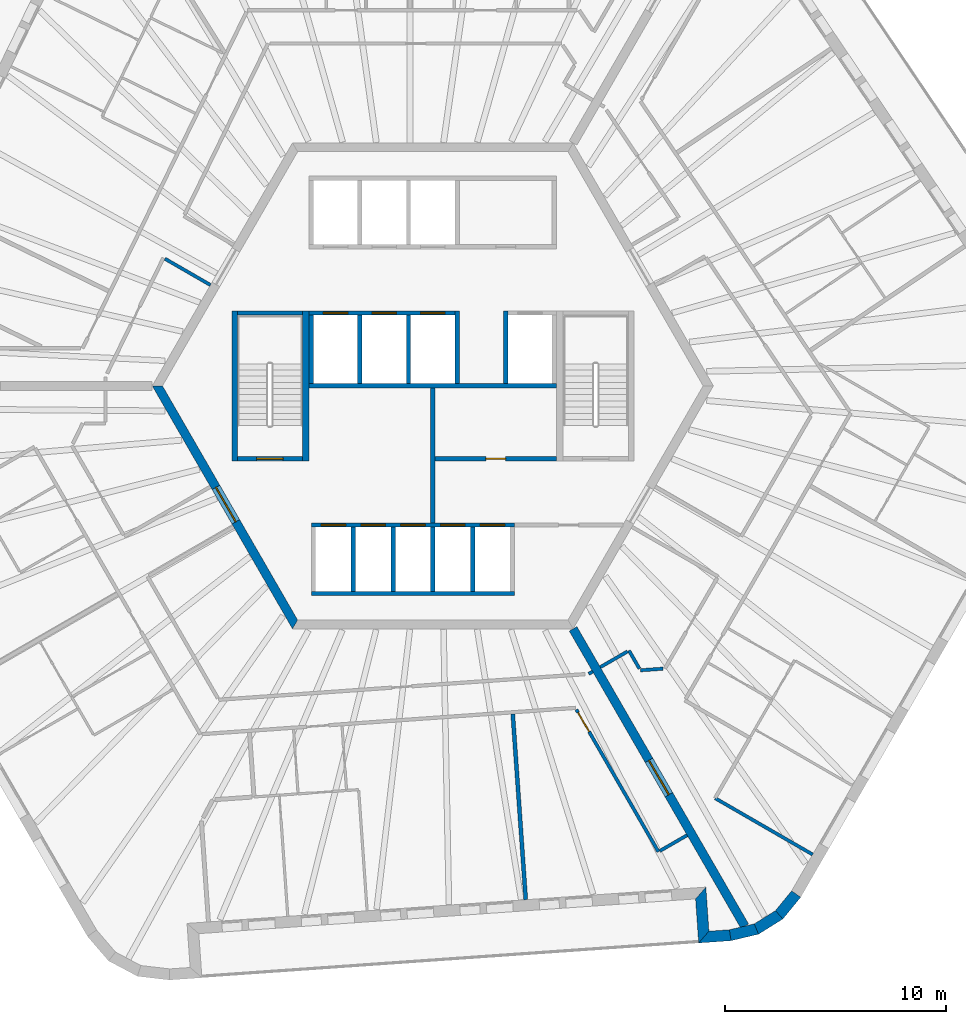
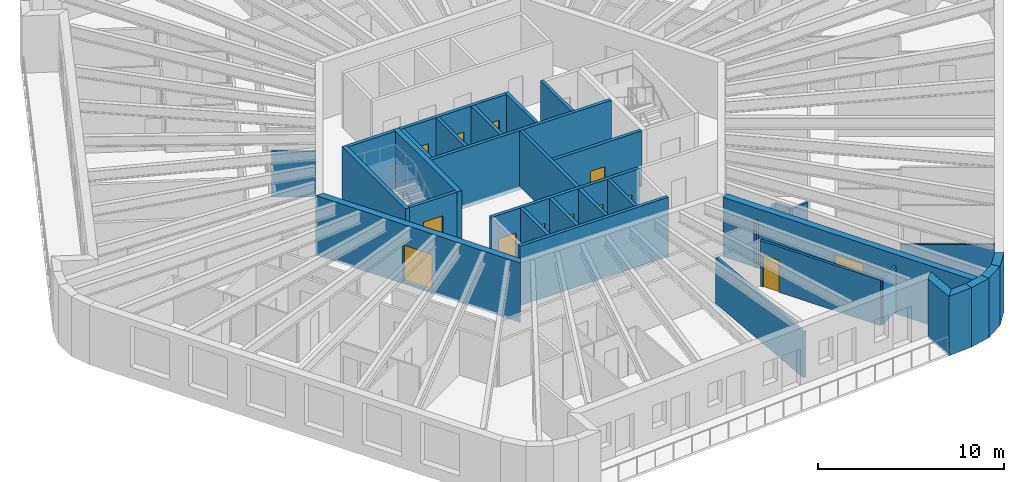
# One storey, part 5 of 12: 35 walls, 13 doors, 13 openings.
"""IFC4 building model written with IfcOpenShell, lengths in metres."""

from ifc_helpers import new_model, si_unit, direction, frame, frame_2d, origin, place, context, subcontext, project, spatial, polyline, rectangle, outline, extrude, material, layer, layer_set, type_object, element, fill, save


model = new_model("IFC4")

# Units and contexts
model_context = context("Model", 3, precision=1e-05, world=origin(), true_north=direction((0.0, 1.0)))
body_context = subcontext(model_context, "Body", "Model", "MODEL_VIEW")
ifc_project = project(units=[si_unit("LENGTHUNIT", "METRE"), si_unit("AREAUNIT", "SQUARE_METRE"), si_unit("VOLUMEUNIT", "CUBIC_METRE"), si_unit("PLANEANGLEUNIT", "RADIAN"), si_unit("MASSUNIT", "GRAM", prefix="KILO")], contexts=[model_context])

# Site, building, storey
site_placement = place(None, origin())
site = spatial("IfcSite", under=ifc_project, at=site_placement, CompositionType="ELEMENT")
building_placement = place(site_placement, origin())
building = spatial("IfcBuilding", under=site, at=building_placement, Name="Tarnside Tower", CompositionType="ELEMENT")
storey_placement = place(building_placement, frame((0.0, 0.0, 295.199951171875)))
storey = spatial("IfcBuildingStorey", under=building, at=storey_placement, Name="L71", CompositionType="ELEMENT", Elevation=295.199951171875)

# Wall, opening, door
ifc_material_1 = material(Name="Concrete C40/50", Category="concrete")
ifc_layer_1 = layer(ifc_material_1, 0.199951171875)
ifc_layer_set_1 = layer_set([ifc_layer_1], Name="Core room partition 200 C40/50")
wall_type_1 = type_object("IfcWallType", Name="Core room partition 200 C40/50", PredefinedType="PARTITIONING", material=ifc_layer_set_1)
wall_1_placement = place(storey_placement, frame((0.10009765625, -3.300048828125, 0.0), z_axis=(0.0, 0.0, 1.0), x_axis=(1.0, 0.0, 0.0)))
wall_1 = element("IfcWall", 1, at=wall_1_placement, inside=storey, type_object=wall_type_1, Name="L71 core partition R3S1", PredefinedType="PARTITIONING", context=body_context, shape_type="SweptSolid", body=[
    extrude(rectangle(XDim=5.5, YDim=0.199951171875, at=frame_2d((2.75, 0.0))), origin(), (0.0, 0.0, 1.0), 3.650146484375),
])
opening_1_placement = place(wall_1_placement, frame((2.300048828125, 0.0, 0.0)))
opening_1 = element("IfcOpeningElement", 2, at=opening_1_placement, cuts=wall_1, Name="Opening CD-room", PredefinedType="OPENING", context=body_context, shape_type="SweptSolid", body=[
    extrude(rectangle(XDim=0.89990234375, YDim=2.10009765625, at=frame_2d((0.449951171875, 1.050048828125))), frame((0.0, 0.10986328125, 0.0), z_axis=(0.0, -1.0, 0.0), x_axis=(1.0, 0.0, 0.0)), (0.0, 0.0, 1.0), 0.219970703125),
])
ifc_material_2 = material(Name="Steel fire door", Category="steel")
door_type_1 = type_object("IfcDoorType", Name="Room door FD60 900x2100", OperationType="NOTDEFINED", PredefinedType="DOOR", material=ifc_material_2)
door_1_placement = place(opening_1_placement, origin())
door_1 = element("IfcDoor", 3, at=door_1_placement, inside=storey, type_object=door_type_1, Name="L71 core room door SR1", OperationType="SINGLE_SWING_LEFT", OverallHeight=2.10009765625, OverallWidth=0.89990234375, PredefinedType="DOOR", context=body_context, shape_type="SweptSolid", body=[
    extrude(rectangle(XDim=0.89990234375, YDim=2.10009765625, at=frame_2d((0.449951171875, 1.050048828125))), frame((0.0, 0.02490234375, 0.0), z_axis=(0.0, -1.0, 0.0), x_axis=(1.0, 0.0, 0.0)), (0.0, 0.0, 1.0), 0.050048828125),
])
fill(opening_1, door_1)

# Wall
wall_2_placement = place(storey_placement, frame((0.0, -6.199951171875, 0.0), z_axis=(0.0, 0.0, 1.0), x_axis=(0.0, 1.0, 0.0)))
element("IfcWall", 4, at=wall_2_placement, inside=storey, type_object=wall_type_1, Name="L71 core partition X0", PredefinedType="PARTITIONING", context=body_context, shape_type="SweptSolid", body=[
    extrude(rectangle(XDim=6.099853515625, YDim=0.199951171875, at=frame_2d((3.0498046875, 0.0))), origin(), (0.0, 0.0, 1.0), 3.650146484375),
])

# Wall, opening, door
ifc_material_3 = material(Name="Concrete C60/75", Category="concrete")
ifc_layer_2 = layer(ifc_material_3, 0.39990234375)
ifc_layer_set_2 = layer_set([ifc_layer_2], Name="Core wall Z3 400 C60/75")
wall_type_2 = type_object("IfcWallType", Name="Core wall Z3 400 C60/75", PredefinedType="SHEAR", material=ifc_layer_set_2)
wall_3_placement = place(storey_placement, frame((-12.470703125, 0.0, -0.14990234375), z_axis=(0.0, 0.0, 1.0), x_axis=(0.499996419489, -0.866027470984, 0.0)))
wall_3 = element("IfcWall", 5, at=wall_3_placement, inside=storey, type_object=wall_type_2, Name="L71 core wall face 3", PredefinedType="SHEAR", context=body_context, shape_type="SweptSolid", body=[
    extrude(outline(polyline([(-0.115478515625, -0.199951171875), (12.586181640625, -0.199951171875), (12.355224609375, 0.199951171875), (0.115478515625, 0.199951171875), (-0.115478515625, -0.199951171875)])), origin(), (0.0, 0.0, 1.0), 3.89990234375),
])
opening_2_placement = place(wall_3_placement, frame((5.306396484375, 0.0, 0.14990234375)))
opening_2 = element("IfcOpeningElement", 6, at=opening_2_placement, cuts=wall_3, Name="Opening CD-FFL", PredefinedType="OPENING", context=body_context, shape_type="SweptSolid", body=[
    extrude(rectangle(XDim=1.800048828125, YDim=2.39990234375, at=frame_2d((0.89990234375, 1.199951171875))), frame((0.0, 0.2099609375, 0.0), z_axis=(0.0, -1.0, 0.0), x_axis=(1.0, 0.0, 0.0)), (0.0, 0.0, 1.0), 0.419921875),
])
door_type_2 = type_object("IfcDoorType", Name="Firefighting lobby double door FD60S 1800x2400", OperationType="NOTDEFINED", PredefinedType="DOOR", material=ifc_material_2)
door_2_placement = place(opening_2_placement, origin())
door_2 = element("IfcDoor", 7, at=door_2_placement, inside=storey, type_object=door_type_2, Name="L71 core door P3", OperationType="DOUBLE_DOOR_SINGLE_SWING", OverallHeight=2.39990234375, OverallWidth=1.800048828125, PredefinedType="DOOR", context=body_context, shape_type="SweptSolid", body=[
    extrude(rectangle(XDim=1.800048828125, YDim=2.39990234375, at=frame_2d((0.89990234375, 1.199951171875))), frame((0.0, 0.02490234375, 0.0), z_axis=(0.0, -1.0, 0.0), x_axis=(1.0, 0.0, 0.0)), (0.0, 0.0, 1.0), 0.050048828125),
])
fill(opening_2, door_2)

wall_4_placement = place(storey_placement, frame((6.350830078125, -11.0, -0.14990234375), z_axis=(0.0, 0.0, 1.0), x_axis=(0.499998894578, -0.866026041999, 0.0)))
wall_4 = element("IfcWall", 8, at=wall_4_placement, inside=storey, type_object=wall_type_2, Name="L71 spine wall 3", PredefinedType="SHEAR", context=body_context, shape_type="SweptSolid", body=[
    extrude(rectangle(XDim=15.54443359375, YDim=0.39990234375, at=frame_2d((7.772216796875, 0.0))), origin(), (0.0, 0.0, 1.0), 3.89990234375),
])
opening_3_placement = place(wall_4_placement, frame((6.872314453125, 0.0, 0.14990234375)))
opening_3 = element("IfcOpeningElement", 9, at=opening_3_placement, cuts=wall_4, Name="Opening CD-SPN", PredefinedType="OPENING", context=body_context, shape_type="SweptSolid", body=[
    extrude(rectangle(XDim=1.800048828125, YDim=2.39990234375, at=frame_2d((0.89990234375, 1.199951171875))), frame((0.0, 0.2099609375, 0.0), z_axis=(0.0, -1.0, 0.0), x_axis=(1.0, 0.0, 0.0)), (0.0, 0.0, 1.0), 0.419921875),
])
door_type_3 = type_object("IfcDoorType", Name="Spine passage double door FD60 1800x2400", OperationType="NOTDEFINED", PredefinedType="DOOR", material=ifc_material_2)
door_3_placement = place(opening_3_placement, origin())
door_3 = element("IfcDoor", 10, at=door_3_placement, inside=storey, type_object=door_type_3, Name="L71 spine passage door 3", OperationType="DOUBLE_DOOR_SINGLE_SWING", OverallHeight=2.39990234375, OverallWidth=1.800048828125, PredefinedType="DOOR", context=body_context, shape_type="SweptSolid", body=[
    extrude(rectangle(XDim=1.800048828125, YDim=2.39990234375, at=frame_2d((0.89990234375, 1.199951171875))), frame((0.0, 0.02490234375, 0.0), z_axis=(0.0, -1.0, 0.0), x_axis=(1.0, 0.0, 0.0)), (0.0, 0.0, 1.0), 0.050048828125),
])
fill(opening_3, door_3)

# Wall
ifc_material_4 = material(Name="Gypsum board partition on steel studs", Category="steel")
ifc_layer_3 = layer(ifc_material_4, 0.14990234375)
ifc_layer_set_3 = layer_set([ifc_layer_3], Name="Corridor wall 150 EI 60")
wall_type_3 = type_object("IfcWallType", Name="Corridor wall 150 EI 60", PredefinedType="PARTITIONING", material=ifc_layer_set_3)
wall_5_placement = place(storey_placement, frame((-12.12890625, 5.7568359375, 0.0), z_axis=(0.0, 0.0, 1.0), x_axis=(0.866033707122, -0.499985617921, 0.0)))
element("IfcWall", 11, at=wall_5_placement, inside=storey, type_object=wall_type_3, Name="Corridor wall 23027", PredefinedType="PARTITIONING", context=body_context, shape_type="SweptSolid", body=[
    extrude(rectangle(XDim=2.38232421875, YDim=0.14990234375, at=frame_2d((1.191162109375, 0.0))), origin(), (0.0, 0.0, 1.0), 2.98779296875),
])

# Wall, opening, door
wall_6_placement = place(storey_placement, frame((6.49951171875, -14.6572265625, 0.0), z_axis=(0.0, 0.0, 1.0), x_axis=(0.499966098742, -0.8660449758, 0.0)))
wall_6 = element("IfcWall", 12, at=wall_6_placement, inside=storey, type_object=wall_type_3, Name="Corridor wall 23042", PredefinedType="PARTITIONING", context=body_context, shape_type="SweptSolid", body=[
    extrude(rectangle(XDim=7.4306640625, YDim=0.14990234375, at=frame_2d((3.71533203125, 0.0))), origin(), (0.0, 0.0, 1.0), 2.98779296875),
])
opening_4_placement = place(wall_6_placement, frame((0.14990234375, 0.0, 0.0)))
opening_4 = element("IfcOpeningElement", 13, at=opening_4_placement, cuts=wall_6, Name="Opening D-E1", PredefinedType="OPENING", context=body_context, shape_type="SweptSolid", body=[
    extrude(rectangle(XDim=1.0, YDim=2.10009765625, at=frame_2d((0.5, 1.050048828125))), frame((0.0, 0.0849609375, 0.0), z_axis=(0.0, -1.0, 0.0), x_axis=(1.0, 0.0, 0.0)), (0.0, 0.0, 1.0), 0.169921875),
])
ifc_material_5 = material(Name="Timber door leaf", Category="wood")
door_type_4 = type_object("IfcDoorType", Name="Unit entrance door 1000 FD30S", OperationType="NOTDEFINED", PredefinedType="DOOR", material=ifc_material_5)
door_4_placement = place(opening_4_placement, origin())
door_4 = element("IfcDoor", 14, at=door_4_placement, inside=storey, type_object=door_type_4, Name="Unit door 23038", OperationType="SINGLE_SWING_RIGHT", OverallHeight=2.10009765625, OverallWidth=1.0, PredefinedType="DOOR", context=body_context, shape_type="SweptSolid", body=[
    extrude(rectangle(XDim=1.0, YDim=2.10009765625, at=frame_2d((0.5, 1.050048828125))), frame((0.0, 0.02490234375, 0.0), z_axis=(0.0, -1.0, 0.0), x_axis=(1.0, 0.0, 0.0)), (0.0, 0.0, 1.0), 0.050048828125),
])
fill(opening_4, door_4)

# Walls
wall_7_placement = place(storey_placement, frame((10.27978515625, -21.054931640625, 0.0), z_axis=(0.0, 0.0, 1.0), x_axis=(0.866020080793, 0.500009219579, 0.0)))
element("IfcWall", 15, at=wall_7_placement, inside=storey, type_object=wall_type_3, Name="Corridor wall 23043", PredefinedType="PARTITIONING", context=body_context, shape_type="SweptSolid", body=[
    extrude(rectangle(XDim=1.4248046875, YDim=0.14990234375, at=frame_2d((0.71240234375, 0.0))), origin(), (0.0, 0.0, 1.0), 2.98779296875),
])
wall_8_placement = place(storey_placement, frame((7.23681640625, -12.9345703125, 0.0), z_axis=(0.0, 0.0, 1.0), x_axis=(-0.866088799389, -0.499890179513, 0.0)))
element("IfcWall", 16, at=wall_8_placement, inside=storey, type_object=wall_type_3, Name="Corridor wall 23049", PredefinedType="PARTITIONING", context=body_context, shape_type="SweptSolid", body=[
    extrude(rectangle(XDim=0.2099609375, YDim=0.14990234375, at=frame_2d((0.10498046875, 0.0))), origin(), (0.0, 0.0, 1.0), 2.98779296875),
])
wall_9_placement = place(storey_placement, frame((17.196044921875, -21.215576171875, 0.0), z_axis=(0.0, 0.0, 1.0), x_axis=(-0.866024511559, 0.500001545377, 0.0)))
element("IfcWall", 17, at=wall_9_placement, inside=storey, type_object=wall_type_3, Name="Corridor wall 23058", PredefinedType="PARTITIONING", context=body_context, shape_type="SweptSolid", body=[
    extrude(rectangle(XDim=5.0986328125, YDim=0.14990234375, at=frame_2d((2.54931640625, 0.0))), origin(), (0.0, 0.0, 1.0), 2.98779296875),
])
wall_10_placement = place(storey_placement, frame((10.418701171875, -12.804443359375, 0.0), z_axis=(0.0, 0.0, 1.0), x_axis=(-0.997558136861, -0.069840987838, 0.0)))
element("IfcWall", 18, at=wall_10_placement, inside=storey, type_object=wall_type_3, Name="Corridor wall 23075", PredefinedType="PARTITIONING", context=body_context, shape_type="SweptSolid", body=[
    extrude(rectangle(XDim=1.024169921875, YDim=0.14990234375, at=frame_2d((0.51220703125, 0.0))), origin(), (0.0, 0.0, 1.0), 2.98779296875),
])
wall_11_placement = place(storey_placement, frame((9.355224609375, -12.8037109375, 0.0), z_axis=(0.0, 0.0, 1.0), x_axis=(-0.499998034377, 0.866026538634, 0.0)))
element("IfcWall", 19, at=wall_11_placement, inside=storey, type_object=wall_type_3, Name="Corridor wall 23076", PredefinedType="PARTITIONING", context=body_context, shape_type="SweptSolid", body=[
    extrude(rectangle(XDim=0.94580078125, YDim=0.14990234375, at=frame_2d((0.472900390625, 0.0))), origin(), (0.0, 0.0, 1.0), 2.98779296875),
])
wall_12_placement = place(storey_placement, frame((8.8173828125, -12.022216796875, 0.0), z_axis=(0.0, 0.0, 1.0), x_axis=(-0.866062911188, -0.499935029643, 0.0)))
element("IfcWall", 20, at=wall_12_placement, inside=storey, type_object=wall_type_3, Name="Corridor wall 23077", PredefinedType="PARTITIONING", context=body_context, shape_type="SweptSolid", body=[
    extrude(rectangle(XDim=1.425048828125, YDim=0.14990234375, at=frame_2d((0.71240234375, 0.0))), origin(), (0.0, 0.0, 1.0), 2.98779296875),
])
ifc_layer_4 = layer(ifc_material_4, 0.179931640625)
ifc_layer_set_4 = layer_set([ifc_layer_4], Name="Demising wall 180 EI 60")
wall_type_4 = type_object("IfcWallType", Name="Demising wall 180 EI 60", PredefinedType="PARTITIONING", material=ifc_layer_set_4)
wall_13_placement = place(storey_placement, frame((4.208251953125, -23.26318359375, 0.0), z_axis=(0.0, 0.0, 1.0), x_axis=(-0.069749826803, 0.997564515037, 0.0)))
element("IfcWall", 21, at=wall_13_placement, inside=storey, type_object=wall_type_4, Name="Demising wall 23133", PredefinedType="PARTITIONING", context=body_context, shape_type="SweptSolid", body=[
    extrude(rectangle(XDim=8.425048828125, YDim=0.179931640625, at=frame_2d((4.21240234375, 0.0))), origin(), (0.0, 0.0, 1.0), 2.98779296875),
])

# Wall, openings, doors
ifc_layer_5 = layer(ifc_material_1, 0.199951171875)
ifc_layer_set_5 = layer_set([ifc_layer_5], Name="Lift shaft wall 200 C40/50")
wall_type_5 = type_object("IfcWallType", Name="Lift shaft wall 200 C40/50", PredefinedType="SHEAR", material=ifc_layer_set_5)
wall_14_placement = place(storey_placement, frame((-5.60009765625, 3.300048828125, -0.25), z_axis=(0.0, 0.0, 1.0), x_axis=(1.0, 0.0, 0.0)))
wall_14 = element("IfcWall", 22, at=wall_14_placement, inside=storey, type_object=wall_type_5, Name="L71 lift shaft front wall R2", PredefinedType="SHEAR", context=body_context, shape_type="SweptSolid", body=[
    extrude(rectangle(XDim=6.60009765625, YDim=0.199951171875, at=frame_2d((3.300048828125, 0.0))), origin(), (0.0, 0.0, 1.0), 3.900146484375),
])
opening_5_placement = place(wall_14_placement, frame((0.64990234375, 0.0, 0.25)))
opening_5 = element("IfcOpeningElement", 23, at=opening_5_placement, cuts=wall_14, Name="Opening LD", PredefinedType="OPENING", context=body_context, shape_type="SweptSolid", body=[
    extrude(rectangle(XDim=1.10009765625, YDim=2.10009765625, at=frame_2d((0.550048828125, 1.050048828125))), frame((0.0, 0.10986328125, 0.0), z_axis=(0.0, -1.0, 0.0), x_axis=(1.0, 0.0, 0.0)), (0.0, 0.0, 1.0), 0.219970703125),
])
opening_6_placement = place(wall_14_placement, frame((2.85009765625, 0.0, 0.25)))
opening_6 = element("IfcOpeningElement", 24, at=opening_6_placement, cuts=wall_14, Name="Opening LD", PredefinedType="OPENING", context=body_context, shape_type="SweptSolid", body=[
    extrude(rectangle(XDim=1.10009765625, YDim=2.10009765625, at=frame_2d((0.550048828125, 1.050048828125))), frame((0.0, 0.10986328125, 0.0), z_axis=(0.0, -1.0, 0.0), x_axis=(1.0, 0.0, 0.0)), (0.0, 0.0, 1.0), 0.219970703125),
])
opening_7_placement = place(wall_14_placement, frame((5.050048828125, 0.0, 0.25)))
opening_7 = element("IfcOpeningElement", 25, at=opening_7_placement, cuts=wall_14, Name="Opening LD", PredefinedType="OPENING", context=body_context, shape_type="SweptSolid", body=[
    extrude(rectangle(XDim=1.10009765625, YDim=2.10009765625, at=frame_2d((0.550048828125, 1.050048828125))), frame((0.0, 0.10986328125, 0.0), z_axis=(0.0, -1.0, 0.0), x_axis=(1.0, 0.0, 0.0)), (0.0, 0.0, 1.0), 0.219970703125),
])
ifc_material_6 = material(Name="Stainless steel", Category="steel")
door_type_5 = type_object("IfcDoorType", Name="Lift landing door 1100x2100", OperationType="NOTDEFINED", PredefinedType="DOOR", material=ifc_material_6)
door_5_placement = place(opening_5_placement, origin())
door_5 = element("IfcDoor", 26, at=door_5_placement, inside=storey, type_object=door_type_5, Name="High-rise lift 4 landing door L71", OperationType="SLIDING_TO_LEFT", OverallHeight=2.10009765625, OverallWidth=1.10009765625, PredefinedType="DOOR", context=body_context, shape_type="SweptSolid", body=[
    extrude(rectangle(XDim=1.10009765625, YDim=2.10009765625, at=frame_2d((0.550048828125, 1.050048828125))), frame((0.0, 0.02490234375, 0.0), z_axis=(0.0, -1.0, 0.0), x_axis=(1.0, 0.0, 0.0)), (0.0, 0.0, 1.0), 0.050048828125),
])
fill(opening_5, door_5)
door_6_placement = place(opening_6_placement, origin())
door_6 = element("IfcDoor", 27, at=door_6_placement, inside=storey, type_object=door_type_5, Name="High-rise lift 5 landing door L71", OperationType="SLIDING_TO_LEFT", OverallHeight=2.10009765625, OverallWidth=1.10009765625, PredefinedType="DOOR", context=body_context, shape_type="SweptSolid", body=[
    extrude(rectangle(XDim=1.10009765625, YDim=2.10009765625, at=frame_2d((0.550048828125, 1.050048828125))), frame((0.0, 0.02490234375, 0.0), z_axis=(0.0, -1.0, 0.0), x_axis=(1.0, 0.0, 0.0)), (0.0, 0.0, 1.0), 0.050048828125),
])
fill(opening_6, door_6)
door_7_placement = place(opening_7_placement, origin())
door_7 = element("IfcDoor", 28, at=door_7_placement, inside=storey, type_object=door_type_5, Name="High-rise lift 6 landing door L71", OperationType="SLIDING_TO_LEFT", OverallHeight=2.10009765625, OverallWidth=1.10009765625, PredefinedType="DOOR", context=body_context, shape_type="SweptSolid", body=[
    extrude(rectangle(XDim=1.10009765625, YDim=2.10009765625, at=frame_2d((0.550048828125, 1.050048828125))), frame((0.0, 0.02490234375, 0.0), z_axis=(0.0, -1.0, 0.0), x_axis=(1.0, 0.0, 0.0)), (0.0, 0.0, 1.0), 0.050048828125),
])
fill(opening_7, door_7)

# Walls
wall_15_placement = place(storey_placement, frame((-5.60009765625, 0.0, -0.25), z_axis=(0.0, 0.0, 1.0), x_axis=(1.0, 0.0, 0.0)))
element("IfcWall", 29, at=wall_15_placement, inside=storey, type_object=wall_type_5, Name="L71 lift shaft back wall R2", PredefinedType="SHEAR", context=body_context, shape_type="SweptSolid", body=[
    extrude(rectangle(XDim=11.2001953125, YDim=0.199951171875, at=frame_2d((5.60009765625, 0.0))), origin(), (0.0, 0.0, 1.0), 3.900146484375),
])
for number, where, z_axis, x_axis, name in (
    (30, (-5.5, 0.10009765625, -0.25), (0.0, 0.0, 1.0), (0.0, 1.0, 0.0), "L71 lift shaft partition R21"),
    (31, (-3.300048828125, 0.10009765625, -0.25), (0.0, 0.0, 1.0), (0.0, 1.0, 0.0), "L71 lift shaft partition R22"),
    (32, (-1.10009765625, 0.10009765625, -0.25), (0.0, 0.0, 1.0), (0.0, 1.0, 0.0), "L71 lift shaft partition R23"),
):
    element("IfcWall", number, at=place(storey_placement, frame(where, z_axis=z_axis, x_axis=x_axis)), inside=storey, type_object=wall_type_5, Name=name, PredefinedType="SHEAR", context=body_context, shape_type="SweptSolid", body=[
        extrude(rectangle(XDim=3.099853515625, YDim=0.199951171875, at=frame_2d((1.5498046875, 0.0))), origin(), (0.0, 0.0, 1.0), 3.900146484375),
    ])
for number, where, z_axis, x_axis, name in (
    (33, (1.10009765625, 0.10009765625, -0.25), (0.0, 0.0, 1.0), (0.0, 1.0, 0.0), "L71 lift shaft partition R24"),
    (34, (3.300048828125, 0.10009765625, -0.25), (0.0, 0.0, 1.0), (0.0, 1.0, 0.0), "L71 lift shaft partition R25"),
):
    element("IfcWall", number, at=place(storey_placement, frame(where, z_axis=z_axis, x_axis=x_axis)), inside=storey, type_object=wall_type_5, Name=name, PredefinedType="SHEAR", context=body_context, shape_type="SweptSolid", body=[
        extrude(rectangle(XDim=3.2998046875, YDim=0.199951171875, at=frame_2d((1.64990234375, 0.0))), origin(), (0.0, 0.0, 1.0), 3.900146484375),
    ])

# Wall, openings, doors
wall_16_placement = place(storey_placement, frame((-5.5, -6.300048828125, -0.25), z_axis=(0.0, 0.0, 1.0), x_axis=(1.0, 0.0, 0.0)))
wall_16 = element("IfcWall", 35, at=wall_16_placement, inside=storey, type_object=wall_type_5, Name="L71 lift shaft front wall R4", PredefinedType="SHEAR", context=body_context, shape_type="SweptSolid", body=[
    extrude(rectangle(XDim=9.199951171875, YDim=0.199951171875, at=frame_2d((4.60009765625, 0.0))), origin(), (0.0, 0.0, 1.0), 3.900146484375),
])
opening_8_placement = place(wall_16_placement, frame((0.449951171875, 0.0, 0.25)))
opening_8 = element("IfcOpeningElement", 36, at=opening_8_placement, cuts=wall_16, Name="Opening LDF", PredefinedType="OPENING", context=body_context, shape_type="SweptSolid", body=[
    extrude(rectangle(XDim=1.10009765625, YDim=2.10009765625, at=frame_2d((0.550048828125, 1.050048828125))), frame((0.0, 0.10986328125, 0.0), z_axis=(0.0, -1.0, 0.0), x_axis=(1.0, 0.0, 0.0)), (0.0, 0.0, 1.0), 0.219970703125),
])
opening_9_placement = place(wall_16_placement, frame((2.25, 0.0, 0.25)))
opening_9 = element("IfcOpeningElement", 37, at=opening_9_placement, cuts=wall_16, Name="Opening LDF", PredefinedType="OPENING", context=body_context, shape_type="SweptSolid", body=[
    extrude(rectangle(XDim=1.10009765625, YDim=2.10009765625, at=frame_2d((0.550048828125, 1.050048828125))), frame((0.0, 0.10986328125, 0.0), z_axis=(0.0, -1.0, 0.0), x_axis=(1.0, 0.0, 0.0)), (0.0, 0.0, 1.0), 0.219970703125),
])
opening_10_placement = place(wall_16_placement, frame((4.050048828125, 0.0, 0.25)))
opening_10 = element("IfcOpeningElement", 38, at=opening_10_placement, cuts=wall_16, Name="Opening LDF", PredefinedType="OPENING", context=body_context, shape_type="SweptSolid", body=[
    extrude(rectangle(XDim=1.10009765625, YDim=2.10009765625, at=frame_2d((0.550048828125, 1.050048828125))), frame((0.0, 0.10986328125, 0.0), z_axis=(0.0, -1.0, 0.0), x_axis=(1.0, 0.0, 0.0)), (0.0, 0.0, 1.0), 0.219970703125),
])
opening_11_placement = place(wall_16_placement, frame((5.85009765625, 0.0, 0.25)))
opening_11 = element("IfcOpeningElement", 39, at=opening_11_placement, cuts=wall_16, Name="Opening LDF", PredefinedType="OPENING", context=body_context, shape_type="SweptSolid", body=[
    extrude(rectangle(XDim=1.10009765625, YDim=2.10009765625, at=frame_2d((0.550048828125, 1.050048828125))), frame((0.0, 0.10986328125, 0.0), z_axis=(0.0, -1.0, 0.0), x_axis=(1.0, 0.0, 0.0)), (0.0, 0.0, 1.0), 0.219970703125),
])
opening_12_placement = place(wall_16_placement, frame((7.64990234375, 0.0, 0.25)))
opening_12 = element("IfcOpeningElement", 40, at=opening_12_placement, cuts=wall_16, Name="Opening LDF", PredefinedType="OPENING", context=body_context, shape_type="SweptSolid", body=[
    extrude(rectangle(XDim=1.10009765625, YDim=2.10009765625, at=frame_2d((0.550048828125, 1.050048828125))), frame((0.0, 0.10986328125, 0.0), z_axis=(0.0, -1.0, 0.0), x_axis=(1.0, 0.0, 0.0)), (0.0, 0.0, 1.0), 0.219970703125),
])
door_type_6 = type_object("IfcDoorType", Name="Lift landing door 1100x2100 EI 120", OperationType="NOTDEFINED", PredefinedType="DOOR", material=ifc_material_6)
door_8_placement = place(opening_8_placement, origin())
door_8 = element("IfcDoor", 41, at=door_8_placement, inside=storey, type_object=door_type_6, Name="Firefighting lift 1 landing door L71", OperationType="SLIDING_TO_LEFT", OverallHeight=2.10009765625, OverallWidth=1.10009765625, PredefinedType="DOOR", context=body_context, shape_type="SweptSolid", body=[
    extrude(rectangle(XDim=1.10009765625, YDim=2.10009765625, at=frame_2d((0.550048828125, 1.050048828125))), frame((0.0, 0.02490234375, 0.0), z_axis=(0.0, -1.0, 0.0), x_axis=(1.0, 0.0, 0.0)), (0.0, 0.0, 1.0), 0.050048828125),
])
fill(opening_8, door_8)
door_9_placement = place(opening_9_placement, origin())
door_9 = element("IfcDoor", 42, at=door_9_placement, inside=storey, type_object=door_type_6, Name="Firefighting lift 2 landing door L71", OperationType="SLIDING_TO_LEFT", OverallHeight=2.10009765625, OverallWidth=1.10009765625, PredefinedType="DOOR", context=body_context, shape_type="SweptSolid", body=[
    extrude(rectangle(XDim=1.10009765625, YDim=2.10009765625, at=frame_2d((0.550048828125, 1.050048828125))), frame((0.0, 0.02490234375, 0.0), z_axis=(0.0, -1.0, 0.0), x_axis=(1.0, 0.0, 0.0)), (0.0, 0.0, 1.0), 0.050048828125),
])
fill(opening_9, door_9)
door_10_placement = place(opening_10_placement, origin())
door_10 = element("IfcDoor", 43, at=door_10_placement, inside=storey, type_object=door_type_6, Name="Firefighting lift 3 landing door L71", OperationType="SLIDING_TO_LEFT", OverallHeight=2.10009765625, OverallWidth=1.10009765625, PredefinedType="DOOR", context=body_context, shape_type="SweptSolid", body=[
    extrude(rectangle(XDim=1.10009765625, YDim=2.10009765625, at=frame_2d((0.550048828125, 1.050048828125))), frame((0.0, 0.02490234375, 0.0), z_axis=(0.0, -1.0, 0.0), x_axis=(1.0, 0.0, 0.0)), (0.0, 0.0, 1.0), 0.050048828125),
])
fill(opening_10, door_10)
door_11_placement = place(opening_11_placement, origin())
door_11 = element("IfcDoor", 44, at=door_11_placement, inside=storey, type_object=door_type_6, Name="Firefighting lift 4 landing door L71", OperationType="SLIDING_TO_LEFT", OverallHeight=2.10009765625, OverallWidth=1.10009765625, PredefinedType="DOOR", context=body_context, shape_type="SweptSolid", body=[
    extrude(rectangle(XDim=1.10009765625, YDim=2.10009765625, at=frame_2d((0.550048828125, 1.050048828125))), frame((0.0, 0.02490234375, 0.0), z_axis=(0.0, -1.0, 0.0), x_axis=(1.0, 0.0, 0.0)), (0.0, 0.0, 1.0), 0.050048828125),
])
fill(opening_11, door_11)
door_12_placement = place(opening_12_placement, origin())
door_12 = element("IfcDoor", 45, at=door_12_placement, inside=storey, type_object=door_type_6, Name="Firefighting lift 5 landing door L71", OperationType="SLIDING_TO_LEFT", OverallHeight=2.10009765625, OverallWidth=1.10009765625, PredefinedType="DOOR", context=body_context, shape_type="SweptSolid", body=[
    extrude(rectangle(XDim=1.10009765625, YDim=2.10009765625, at=frame_2d((0.550048828125, 1.050048828125))), frame((0.0, 0.02490234375, 0.0), z_axis=(0.0, -1.0, 0.0), x_axis=(1.0, 0.0, 0.0)), (0.0, 0.0, 1.0), 0.050048828125),
])
fill(opening_12, door_12)

# Walls
wall_17_placement = place(storey_placement, frame((-5.5, -9.39990234375, -0.25), z_axis=(0.0, 0.0, 1.0), x_axis=(1.0, 0.0, 0.0)))
element("IfcWall", 46, at=wall_17_placement, inside=storey, type_object=wall_type_5, Name="L71 lift shaft back wall R4", PredefinedType="SHEAR", context=body_context, shape_type="SweptSolid", body=[
    extrude(rectangle(XDim=9.199951171875, YDim=0.199951171875, at=frame_2d((4.60009765625, 0.0))), origin(), (0.0, 0.0, 1.0), 3.900146484375),
])
for number, where, z_axis, x_axis, name in (
    (47, (-3.60009765625, -9.300048828125, -0.25), (0.0, 0.0, 1.0), (0.0, 1.0, 0.0), "L71 lift shaft partition R42"),
    (48, (-1.800048828125, -9.300048828125, -0.25), (0.0, 0.0, 1.0), (0.0, 1.0, 0.0), "L71 lift shaft partition R43"),
    (49, (0.0, -9.300048828125, -0.25), (0.0, 0.0, 1.0), (0.0, 1.0, 0.0), "L71 lift shaft partition R44"),
    (50, (1.800048828125, -9.300048828125, -0.25), (0.0, 0.0, 1.0), (0.0, 1.0, 0.0), "L71 lift shaft partition R45"),
):
    element("IfcWall", number, at=place(storey_placement, frame(where, z_axis=z_axis, x_axis=x_axis)), inside=storey, type_object=wall_type_5, Name=name, PredefinedType="SHEAR", context=body_context, shape_type="SweptSolid", body=[
        extrude(rectangle(XDim=2.900146484375, YDim=0.199951171875, at=frame_2d((1.4501953125, 0.0))), origin(), (0.0, 0.0, 1.0), 3.900146484375),
    ])
wall_18_placement = place(storey_placement, frame((-8.85009765625, 3.300048828125, -0.25), z_axis=(0.0, 0.0, 1.0), x_axis=(1.0, 0.0, 0.0)))
element("IfcWall", 51, at=wall_18_placement, inside=storey, type_object=wall_type_5, Name="L71 stair 2 enclosure cap wall n", PredefinedType="SHEAR", context=body_context, shape_type="SweptSolid", body=[
    extrude(rectangle(XDim=2.9501953125, YDim=0.199951171875, at=frame_2d((1.47509765625, 0.0))), origin(), (0.0, 0.0, 1.0), 3.900146484375),
])

# Wall, opening, door
wall_19_placement = place(storey_placement, frame((-8.85009765625, -3.300048828125, -0.25), z_axis=(0.0, 0.0, 1.0), x_axis=(1.0, 0.0, 0.0)))
wall_19 = element("IfcWall", 52, at=wall_19_placement, inside=storey, type_object=wall_type_5, Name="L71 stair 2 enclosure cap wall s", PredefinedType="SHEAR", context=body_context, shape_type="SweptSolid", body=[
    extrude(rectangle(XDim=2.9501953125, YDim=0.199951171875, at=frame_2d((1.47509765625, 0.0))), origin(), (0.0, 0.0, 1.0), 3.900146484375),
])
opening_13_placement = place(wall_19_placement, frame((0.875, 0.0, 0.25)))
opening_13 = element("IfcOpeningElement", 53, at=opening_13_placement, cuts=wall_19, Name="Opening CD-STR", PredefinedType="OPENING", context=body_context, shape_type="SweptSolid", body=[
    extrude(rectangle(XDim=1.199951171875, YDim=2.39990234375, at=frame_2d((0.60009765625, 1.199951171875))), frame((0.0, 0.10986328125, 0.0), z_axis=(0.0, -1.0, 0.0), x_axis=(1.0, 0.0, 0.0)), (0.0, 0.0, 1.0), 0.219970703125),
])
door_type_7 = type_object("IfcDoorType", Name="Stair door FD60S 1200x2400", OperationType="NOTDEFINED", PredefinedType="DOOR", material=ifc_material_2)
door_13_placement = place(opening_13_placement, origin())
door_13 = element("IfcDoor", 54, at=door_13_placement, inside=storey, type_object=door_type_7, Name="L71 stair 2 door", OperationType="SINGLE_SWING_LEFT", OverallHeight=2.39990234375, OverallWidth=1.199951171875, PredefinedType="DOOR", context=body_context, shape_type="SweptSolid", body=[
    extrude(rectangle(XDim=1.199951171875, YDim=2.39990234375, at=frame_2d((0.60009765625, 1.199951171875))), frame((0.0, 0.02490234375, 0.0), z_axis=(0.0, -1.0, 0.0), x_axis=(1.0, 0.0, 0.0)), (0.0, 0.0, 1.0), 0.050048828125),
])
fill(opening_13, door_13)

# Walls
ifc_material_7 = material(Name="Dark zinc cladding")
ifc_layer_6 = layer(ifc_material_7, 0.10205078125)
ifc_material_8 = material(Name="Concrete C60/75 precast", Category="concrete")
ifc_layer_7 = layer(ifc_material_8, 0.298095703125)
ifc_material_9 = material(Name="Mineral wool insulation")
ifc_layer_8 = layer(ifc_material_9, 0.10009765625)
ifc_layer_set_6 = layer_set([ifc_layer_6, ifc_layer_7, ifc_layer_8], Name="Loggia wall 500 zinc faced")
wall_type_6 = type_object("IfcWallType", Name="Loggia wall 500 zinc faced", PredefinedType="SOLIDWALL", material=ifc_layer_set_6)
wall_20_placement = place(storey_placement, frame((12.128662109375, -22.9599609375, -0.14990234375), z_axis=(0.0, 0.0, 1.0), x_axis=(0.069824268692, -0.99755930726, 0.0)))
element("IfcWall", 55, at=wall_20_placement, inside=storey, type_object=wall_type_6, Name="Tube wall L71 F4 return 19", PredefinedType="SOLIDWALL", context=body_context, shape_type="SweptSolid", body=[
    extrude(outline(polyline([(0.25, -0.25), (2.25, -0.25), (1.75, 0.25), (-0.25, 0.25), (0.25, -0.25)])), origin(), (0.0, 0.0, 1.0), 3.89990234375),
])
wall_21_placement = place(storey_placement, frame((12.268310546875, -24.955078125, -0.14990234375), z_axis=(0.0, 0.0, 1.0), x_axis=(0.997561942506, 0.06978660948, 0.0)))
element("IfcWall", 56, at=wall_21_placement, inside=storey, type_object=wall_type_6, Name="Tube wall L71 F4 stub 20", PredefinedType="SOLIDWALL", context=body_context, shape_type="SweptSolid", body=[
    extrude(outline(polyline([(-0.25, -0.25), (1.220458984375, -0.25), (1.179443359375, 0.25), (0.25, 0.25), (-0.25, -0.25)])), origin(), (0.0, 0.0, 1.0), 3.89990234375),
])
ifc_layer_9 = layer(ifc_material_1, 0.25)
ifc_layer_set_7 = layer_set([ifc_layer_9], Name="Stair enclosure wall 250 C40/50")
wall_type_7 = type_object("IfcWallType", Name="Stair enclosure wall 250 C40/50", PredefinedType="SHEAR", material=ifc_layer_set_7)
wall_22_placement = place(storey_placement, frame((-8.97509765625, -3.39990234375, -0.25), z_axis=(0.0, 0.0, 1.0), x_axis=(0.0, 1.0, 0.0)))
element("IfcWall", 57, at=wall_22_placement, inside=storey, type_object=wall_type_7, Name="L71 stair 2 enclosure wall outer", PredefinedType="SHEAR", context=body_context, shape_type="SweptSolid", body=[
    extrude(rectangle(XDim=6.7998046875, YDim=0.25, at=frame_2d((3.39990234375, 0.0))), origin(), (0.0, 0.0, 1.0), 3.900146484375),
])
ifc_layer_10 = layer(ifc_material_1, 0.300048828125)
ifc_layer_set_8 = layer_set([ifc_layer_10], Name="Stair enclosure wall 300 C40/50")
wall_type_8 = type_object("IfcWallType", Name="Stair enclosure wall 300 C40/50", PredefinedType="SHEAR", material=ifc_layer_set_8)
wall_23_placement = place(storey_placement, frame((-5.75, -3.39990234375, -0.25), z_axis=(0.0, 0.0, 1.0), x_axis=(0.0, 1.0, 0.0)))
element("IfcWall", 58, at=wall_23_placement, inside=storey, type_object=wall_type_8, Name="L71 stair 2 enclosure wall inner", PredefinedType="SHEAR", context=body_context, shape_type="SweptSolid", body=[
    extrude(rectangle(XDim=6.7998046875, YDim=0.300048828125, at=frame_2d((3.39990234375, 0.0))), origin(), (0.0, 0.0, 1.0), 3.900146484375),
])
ifc_material_10 = material(Name="Facing brick", Category="masonry")
ifc_layer_11 = layer(ifc_material_10, 0.10205078125)
ifc_layer_12 = layer(ifc_material_8, 0.298095703125)
ifc_layer_13 = layer(ifc_material_9, 0.10009765625)
ifc_layer_set_9 = layer_set([ifc_layer_11, ifc_layer_12, ifc_layer_13], Name="Tube wall 500 brick faced")
wall_type_9 = type_object("IfcWallType", Name="Tube wall 500 brick faced", PredefinedType="SOLIDWALL", material=ifc_layer_set_9)
wall_24_placement = place(storey_placement, frame((13.46533203125, -24.871337890625, -0.14990234375), z_axis=(0.0, 0.0, 1.0), x_axis=(0.973044740285, 0.230616420501, 0.0)))
element("IfcWall", 59, at=wall_24_placement, inside=storey, type_object=wall_type_9, Name="Tube wall L71 F4 chord 21", PredefinedType="SOLIDWALL", context=body_context, shape_type="SweptSolid", body=[
    extrude(outline(polyline([(-0.0205078125, -0.25), (1.25732421875, -0.25), (1.17529296875, 0.25), (0.0205078125, 0.25), (-0.0205078125, -0.25)])), origin(), (0.0, 0.0, 1.0), 3.89990234375),
])
wall_25_placement = place(storey_placement, frame((14.64892578125, -24.5908203125, -0.14990234375), z_axis=(0.0, 0.0, 1.0), x_axis=(0.848054682072, 0.529908724419, 0.0)))
element("IfcWall", 60, at=wall_25_placement, inside=storey, type_object=wall_type_9, Name="Tube wall L71 F4 chord 22", PredefinedType="SOLIDWALL", context=body_context, shape_type="SweptSolid", body=[
    extrude(outline(polyline([(-0.041015625, -0.25), (1.25732421875, -0.25), (1.17529296875, 0.25), (0.041015625, 0.25), (-0.041015625, -0.25)])), origin(), (0.0, 0.0, 1.0), 3.89990234375),
])
wall_26_placement = place(storey_placement, frame((15.680419921875, -23.9462890625, -0.14990234375), z_axis=(0.0, 0.0, 1.0), x_axis=(0.633805934167, 0.773492105852, 0.0)))
element("IfcWall", 61, at=wall_26_placement, inside=storey, type_object=wall_type_9, Name="Tube wall L71 F4 chord 23", PredefinedType="SOLIDWALL", context=body_context, shape_type="SweptSolid", body=[
    extrude(outline(polyline([(-0.041015625, -0.25), (1.237060546875, -0.25), (1.196044921875, 0.25), (0.041015625, 0.25), (-0.041015625, -0.25)])), origin(), (0.0, 0.0, 1.0), 3.89990234375),
])

save(model, "model.ifc")
